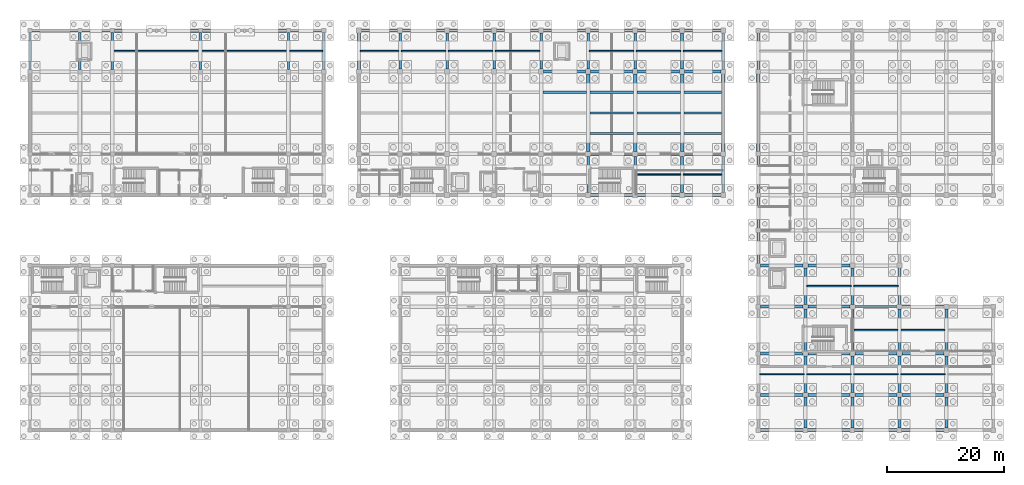
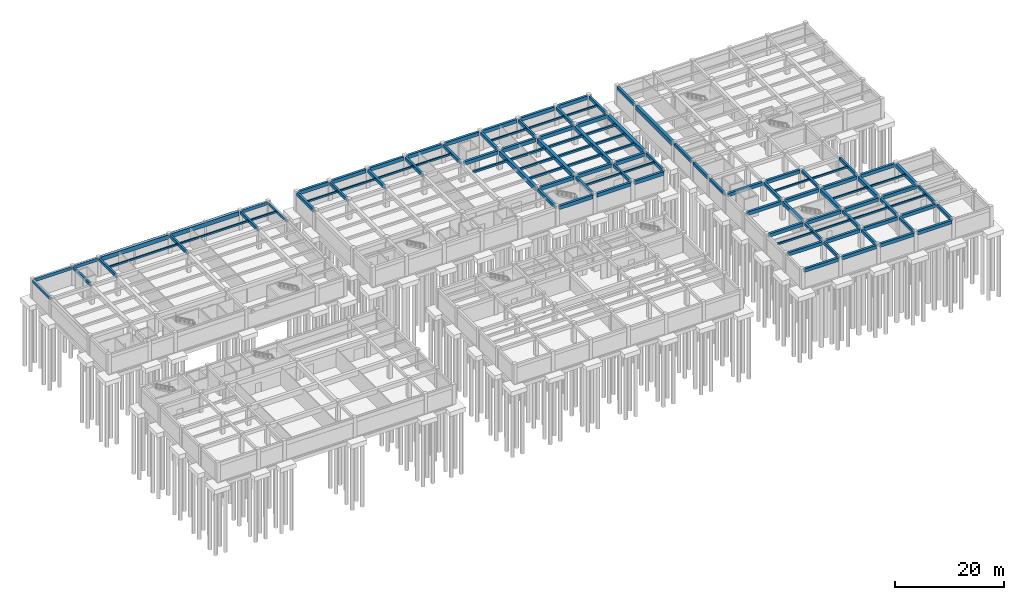
# One storey, part 12 of 28: 114 beams.
"""IFC4 building model written with IfcOpenShell, lengths in metres."""

from ifc_helpers import new_model, si_unit, direction, frame, origin, origin_2d, place, context, subcontext, project, spatial, rectangle, extrude, material, material_profile, profile_set, type_object, element, save


model = new_model("IFC4")

# Units and contexts
model_context = context("Model", 3, precision=1e-05, world=origin(), true_north=direction((0.0, 1.0)))
body_context = subcontext(model_context, "Body", "Model", "MODEL_VIEW")
ifc_project = project(units=[si_unit("LENGTHUNIT", "METRE"), si_unit("AREAUNIT", "SQUARE_METRE"), si_unit("VOLUMEUNIT", "CUBIC_METRE"), si_unit("PLANEANGLEUNIT", "RADIAN"), si_unit("MASSUNIT", "GRAM", prefix="KILO")], contexts=[model_context])

# Site, building, storey
site_placement = place(None, origin())
site = spatial("IfcSite", under=ifc_project, at=site_placement, CompositionType="ELEMENT")
building_placement = place(site_placement, origin())
building = spatial("IfcBuilding", under=site, at=building_placement, Name="Naurynzar Civic Courthouse", CompositionType="ELEMENT")
storey_placement = place(building_placement, frame((0.0, 0.0, -4.5)))
storey = spatial("IfcBuildingStorey", under=building, at=storey_placement, Name="B01", CompositionType="ELEMENT", Elevation=-4.5)

# Beams
ifc_material_1 = material(Name="Concrete C40/50", Category="concrete")
ifc_material_profile_1 = material_profile(ifc_material_1, rectangle(XDim=0.25, YDim=0.39990234375, at=origin_2d()), Name="RCB 250x400")
ifc_profile_set_1 = profile_set([ifc_material_profile_1], Name="Concrete C40/50")
beam_type_1 = type_object("IfcBeamType", Name="BM-JST-250x400", PredefinedType="JOIST", material=ifc_profile_set_1)
for number, where, z_axis, x_axis, name in (
    (1, (20.199951171875, 68.5, 4.030029296875), (1.0, 0.0, 0.0), (0.0, 1.0, 0.0), "V1 secondary rib 55 B01"),
    (2, (35.199951171875, 68.5, 4.030029296875), (1.0, 0.0, 0.0), (0.0, 1.0, 0.0), "V1 secondary rib 56 B01"),
):
    element("IfcBeam", number, at=place(storey_placement, frame(where, z_axis=z_axis, x_axis=x_axis)), inside=storey, type_object=beam_type_1, Name=name, PredefinedType="JOIST", context=body_context, shape_type="SweptSolid", body=[
        extrude(rectangle(XDim=0.25, YDim=0.39990234375, at=origin_2d()), origin(), (0.0, 0.0, 1.0), 14.60009765625),
    ])
beam_1_placement = place(storey_placement, frame((50.199951171875, 68.5, 4.030029296875), z_axis=(1.0, 0.0, 0.0), x_axis=(0.0, 1.0, 0.0)))
element("IfcBeam", 3, at=beam_1_placement, inside=storey, type_object=beam_type_1, Name="V1 secondary rib 57 B01", PredefinedType="JOIST", context=body_context, shape_type="SweptSolid", body=[
    extrude(rectangle(XDim=0.25, YDim=0.39990234375, at=origin_2d()), origin(), (0.0, 0.0, 1.0), 5.60009765625),
])
beam_2_placement = place(storey_placement, frame((109.22509765625, 47.5, 4.0), z_axis=(1.0, 0.0, 0.0), x_axis=(0.0, 1.0, 0.0)))
element("IfcBeam", 4, at=beam_2_placement, inside=storey, type_object=beam_type_1, Name="V2 secondary rib 340 B01", PredefinedType="JOIST", context=body_context, shape_type="SweptSolid", body=[
    extrude(rectangle(XDim=0.25, YDim=0.39990234375, at=origin_2d()), origin(), (0.0, 0.0, 1.0), 7.5498046875),
])
for number, where, z_axis, x_axis, name in (
    (5, (117.22509765625, 47.5, 4.0), (1.0, 0.0, 0.0), (0.0, 1.0, 0.0), "V2 secondary rib 341 B01"),
    (6, (62.22509765625, 68.5, 4.0), (1.0, 0.0, 0.0), (0.0, 1.0, 0.0), "V2 secondary rib 366 B01"),
):
    element("IfcBeam", number, at=place(storey_placement, frame(where, z_axis=z_axis, x_axis=x_axis)), inside=storey, type_object=beam_type_1, Name=name, PredefinedType="JOIST", context=body_context, shape_type="SweptSolid", body=[
        extrude(rectangle(XDim=0.25, YDim=0.39990234375, at=origin_2d()), origin(), (0.0, 0.0, 1.0), 6.5498046875),
    ])
for number, where, z_axis, x_axis, name in (
    (7, (69.22509765625, 68.5, 4.0), (1.0, 0.0, 0.0), (0.0, 1.0, 0.0), "V2 secondary rib 367 B01"),
    (8, (77.22509765625, 68.5, 4.0), (1.0, 0.0, 0.0), (0.0, 1.0, 0.0), "V2 secondary rib 368 B01"),
    (9, (85.22509765625, 68.5, 4.0), (1.0, 0.0, 0.0), (0.0, 1.0, 0.0), "V2 secondary rib 369 B01"),
    (10, (101.22509765625, 68.5, 4.0), (1.0, 0.0, 0.0), (0.0, 1.0, 0.0), "V2 secondary rib 370 B01"),
    (11, (109.22509765625, 68.5, 4.0), (1.0, 0.0, 0.0), (0.0, 1.0, 0.0), "V2 secondary rib 371 B01"),
):
    element("IfcBeam", number, at=place(storey_placement, frame(where, z_axis=z_axis, x_axis=x_axis)), inside=storey, type_object=beam_type_1, Name=name, PredefinedType="JOIST", context=body_context, shape_type="SweptSolid", body=[
        extrude(rectangle(XDim=0.25, YDim=0.39990234375, at=origin_2d()), origin(), (0.0, 0.0, 1.0), 7.5498046875),
    ])
beam_3_placement = place(storey_placement, frame((117.22509765625, 68.5, 4.0), z_axis=(1.0, 0.0, 0.0), x_axis=(0.0, 1.0, 0.0)))
element("IfcBeam", 12, at=beam_3_placement, inside=storey, type_object=beam_type_1, Name="V2 secondary rib 372 B01", PredefinedType="JOIST", context=body_context, shape_type="SweptSolid", body=[
    extrude(rectangle(XDim=0.25, YDim=0.39990234375, at=origin_2d()), origin(), (0.0, 0.0, 1.0), 6.5498046875),
])
for number, where, z_axis, x_axis, name in (
    (13, (130.22509765625, 13.5, 4.0), (1.0, 0.0, 0.0), (0.0, 1.0, 0.0), "V5 secondary rib 2093 B01"),
    (14, (138.22509765625, 13.5, 4.0), (1.0, 0.0, 0.0), (0.0, 1.0, 0.0), "V5 secondary rib 2094 B01"),
    (15, (146.22509765625, 13.5, 4.0), (1.0, 0.0, 0.0), (0.0, 1.0, 0.0), "V5 secondary rib 2095 B01"),
    (16, (154.22509765625, 13.5, 4.0), (1.0, 0.0, 0.0), (0.0, 1.0, 0.0), "V5 secondary rib 2096 B01"),
):
    element("IfcBeam", number, at=place(storey_placement, frame(where, z_axis=z_axis, x_axis=x_axis)), inside=storey, type_object=beam_type_1, Name=name, PredefinedType="JOIST", context=body_context, shape_type="SweptSolid", body=[
        extrude(rectangle(XDim=0.25, YDim=0.39990234375, at=origin_2d()), origin(), (0.0, 0.0, 1.0), 7.5498046875),
    ])
for number, where, z_axis, x_axis, name in (
    (17, (146.27490234375, 21.0, 4.0), (1.0, 0.0, 0.0), (0.0, 1.0, 0.0), "V5 secondary rib 2098 B01"),
    (18, (154.27490234375, 21.0, 4.0), (1.0, 0.0, 0.0), (0.0, 1.0, 0.0), "V5 secondary rib 2099 B01"),
):
    element("IfcBeam", number, at=place(storey_placement, frame(where, z_axis=z_axis, x_axis=x_axis)), inside=storey, type_object=beam_type_1, Name=name, PredefinedType="JOIST", context=body_context, shape_type="SweptSolid", body=[
        extrude(rectangle(XDim=0.25, YDim=0.39990234375, at=origin_2d()), origin(), (0.0, 0.0, 1.0), 7.4501953125),
    ])
for number, where, z_axis, x_axis, name in (
    (19, (138.22509765625, 28.5, 4.0), (1.0, 0.0, 0.0), (0.0, 1.0, 0.0), "V5 secondary rib 2101 B01"),
    (20, (146.22509765625, 28.5, 4.0), (1.0, 0.0, 0.0), (0.0, 1.0, 0.0), "V5 secondary rib 2102 B01"),
):
    element("IfcBeam", number, at=place(storey_placement, frame(where, z_axis=z_axis, x_axis=x_axis)), inside=storey, type_object=beam_type_1, Name=name, PredefinedType="JOIST", context=body_context, shape_type="SweptSolid", body=[
        extrude(rectangle(XDim=0.25, YDim=0.39990234375, at=origin_2d()), origin(), (0.0, 0.0, 1.0), 7.5498046875),
    ])
ifc_material_2 = material(Name="Concrete C40/50", Category="concrete")
ifc_material_profile_2 = material_profile(ifc_material_2, rectangle(XDim=0.60009765625, YDim=0.949951171875, at=origin_2d()), Name="PTB 600x950")
ifc_profile_set_2 = profile_set([ifc_material_profile_2], Name="Concrete C40/50")
beam_type_2 = type_object("IfcBeamType", Name="BM-PT-600x950", PredefinedType="T_BEAM", material=ifc_profile_set_2)
for number, where, z_axis, x_axis, name in (
    (21, (20.35009765625, 72.0, 3.7548828125), (1.0, 0.0, 0.0), (0.0, 1.0, 0.0), "V1 beam X-18 B01"),
    (22, (35.35009765625, 72.0, 3.7548828125), (1.0, 0.0, 0.0), (0.0, 1.0, 0.0), "V1 beam X-19 B01"),
):
    element("IfcBeam", number, at=place(storey_placement, frame(where, z_axis=z_axis, x_axis=x_axis)), inside=storey, type_object=beam_type_2, Name=name, PredefinedType="T_BEAM", context=body_context, shape_type="SweptSolid", body=[
        extrude(rectangle(XDim=0.60009765625, YDim=0.949951171875, at=origin_2d()), origin(), (0.0, 0.0, 1.0), 14.2998046875),
    ])
for number, where, z_axis, x_axis, name in (
    (23, (101.0, 51.425048828125, 3.72509765625), (0.0, 1.0, 0.0), (-1.0, 0.0, 0.0), "V2 girder Y-327 B01"),
    (24, (109.0, 51.425048828125, 3.72509765625), (0.0, 1.0, 0.0), (-1.0, 0.0, 0.0), "V2 girder Y-330 B01"),
    (25, (117.0, 51.425048828125, 3.72509765625), (0.0, 1.0, 0.0), (-1.0, 0.0, 0.0), "V2 girder Y-333 B01"),
):
    element("IfcBeam", number, at=place(storey_placement, frame(where, z_axis=z_axis, x_axis=x_axis)), inside=storey, type_object=beam_type_2, Name=name, PredefinedType="T_BEAM", context=body_context, shape_type="SweptSolid", body=[
        extrude(rectangle(XDim=0.60009765625, YDim=0.949951171875, at=origin_2d()), origin(), (0.0, 0.0, 1.0), 13.14990234375),
    ])
beam_4_placement = place(storey_placement, frame((124.0, 51.39990234375, 3.72509765625), z_axis=(0.0, 1.0, 0.0), x_axis=(-1.0, 0.0, 0.0)))
element("IfcBeam", 26, at=beam_4_placement, inside=storey, type_object=beam_type_2, Name="V2 girder Y-336 B01", PredefinedType="T_BEAM", context=body_context, shape_type="SweptSolid", body=[
    extrude(rectangle(XDim=0.60009765625, YDim=0.949951171875, at=origin_2d()), origin(), (0.0, 0.0, 1.0), 13.2001953125),
])
beam_5_placement = place(storey_placement, frame((130.0, 51.375, 3.72509765625), z_axis=(0.0, 1.0, 0.0), x_axis=(-1.0, 0.0, 0.0)))
element("IfcBeam", 27, at=beam_5_placement, inside=storey, type_object=beam_type_2, Name="V5 girder Y-2052 B01", PredefinedType="T_BEAM", context=body_context, shape_type="SweptSolid", body=[
    extrude(rectangle(XDim=0.60009765625, YDim=0.949951171875, at=origin_2d()), origin(), (0.0, 0.0, 1.0), 13.25),
])
ifc_material_3 = material(Name="Concrete C40/50", Category="concrete")
ifc_material_profile_3 = material_profile(ifc_material_3, rectangle(XDim=0.35009765625, YDim=0.449951171875, at=origin_2d()), Name="RCB 350x450")
ifc_profile_set_3 = profile_set([ifc_material_profile_3], Name="Concrete C40/50")
beam_type_3 = type_object("IfcBeamType", Name="BM-RC-350x450", PredefinedType="BEAM", material=ifc_profile_set_3)
for number, where, z_axis, x_axis, name in (
    (28, (93.300048828125, 61.5, 3.97509765625), (1.0, 0.0, 0.0), (0.0, 1.0, 0.0), "V2 secondary rib 356 B01"),
    (29, (101.300048828125, 54.5, 3.97509765625), (1.0, 0.0, 0.0), (0.0, 1.0, 0.0), "V2 secondary rib 357 B01"),
    (30, (101.300048828125, 58.0, 3.97509765625), (1.0, 0.0, 0.0), (0.0, 1.0, 0.0), "V2 secondary rib 358 B01"),
    (31, (101.300048828125, 61.5, 3.97509765625), (1.0, 0.0, 0.0), (0.0, 1.0, 0.0), "V2 secondary rib 359 B01"),
    (32, (109.300048828125, 54.5, 3.97509765625), (1.0, 0.0, 0.0), (0.0, 1.0, 0.0), "V2 secondary rib 360 B01"),
    (33, (109.300048828125, 58.0, 3.97509765625), (1.0, 0.0, 0.0), (0.0, 1.0, 0.0), "V2 secondary rib 361 B01"),
    (34, (109.300048828125, 61.5, 3.97509765625), (1.0, 0.0, 0.0), (0.0, 1.0, 0.0), "V2 secondary rib 362 B01"),
):
    element("IfcBeam", number, at=place(storey_placement, frame(where, z_axis=z_axis, x_axis=x_axis)), inside=storey, type_object=beam_type_3, Name=name, PredefinedType="BEAM", context=body_context, shape_type="SweptSolid", body=[
        extrude(rectangle(XDim=0.35009765625, YDim=0.449951171875, at=origin_2d()), origin(), (0.0, 0.0, 1.0), 7.39990234375),
    ])
for number, where, z_axis, x_axis, name in (
    (35, (117.300048828125, 54.5, 3.97509765625), (1.0, 0.0, 0.0), (0.0, 1.0, 0.0), "V2 secondary rib 363 B01"),
    (36, (117.300048828125, 58.0, 3.97509765625), (1.0, 0.0, 0.0), (0.0, 1.0, 0.0), "V2 secondary rib 364 B01"),
    (37, (117.300048828125, 61.5, 3.97509765625), (1.0, 0.0, 0.0), (0.0, 1.0, 0.0), "V2 secondary rib 365 B01"),
):
    element("IfcBeam", number, at=place(storey_placement, frame(where, z_axis=z_axis, x_axis=x_axis)), inside=storey, type_object=beam_type_3, Name=name, PredefinedType="BEAM", context=body_context, shape_type="SweptSolid", body=[
        extrude(rectangle(XDim=0.35009765625, YDim=0.449951171875, at=origin_2d()), origin(), (0.0, 0.0, 1.0), 6.39990234375),
    ])
ifc_material_4 = material(Name="Concrete C40/50", Category="concrete")
ifc_material_profile_4 = material_profile(ifc_material_4, rectangle(XDim=0.39990234375, YDim=0.64990234375, at=origin_2d()), Name="RCB 400x650")
ifc_profile_set_4 = profile_set([ifc_material_profile_4], Name="Concrete C40/50")
beam_type_4 = type_object("IfcBeamType", Name="BM-RC-400x650", PredefinedType="BEAM", material=ifc_profile_set_4)
for number, where, z_axis, x_axis, name in (
    (38, (6.0, 65.35009765625, 3.905029296875), (0.0, 1.0, 0.0), (-1.0, 0.0, 0.0), "V1 girder Y-23 B01"),
    (39, (14.5, 65.35009765625, 3.905029296875), (0.0, 1.0, 0.0), (-1.0, 0.0, 0.0), "V1 girder Y-26 B01"),
    (40, (20.0, 65.35009765625, 3.905029296875), (0.0, 1.0, 0.0), (-1.0, 0.0, 0.0), "V1 girder Y-29 B01"),
    (41, (35.0, 65.35009765625, 3.905029296875), (0.0, 1.0, 0.0), (-1.0, 0.0, 0.0), "V1 girder Y-32 B01"),
    (42, (50.0, 65.35009765625, 3.905029296875), (0.0, 1.0, 0.0), (-1.0, 0.0, 0.0), "V1 girder Y-35 B01"),
    (43, (56.0, 65.35009765625, 3.905029296875), (0.0, 1.0, 0.0), (-1.0, 0.0, 0.0), "V1 girder Y-38 B01"),
):
    element("IfcBeam", number, at=place(storey_placement, frame(where, z_axis=z_axis, x_axis=x_axis)), inside=storey, type_object=beam_type_4, Name=name, PredefinedType="BEAM", context=body_context, shape_type="SweptSolid", body=[
        extrude(rectangle(XDim=0.39990234375, YDim=0.64990234375, at=origin_2d()), origin(), (0.0, 0.0, 1.0), 6.2998046875),
    ])
ifc_material_5 = material(Name="Concrete C40/50", Category="concrete")
ifc_material_profile_5 = material_profile(ifc_material_5, rectangle(XDim=0.449951171875, YDim=0.64990234375, at=origin_2d()), Name="RCB 450x650")
ifc_profile_set_5 = profile_set([ifc_material_profile_5], Name="Concrete C40/50")
beam_type_5 = type_object("IfcBeamType", Name="BM-RC-450x650", PredefinedType="BEAM", material=ifc_profile_set_5)
for number, where, z_axis, x_axis, name in (
    (44, (130.0, 32.375, 3.875), (0.0, 1.0, 0.0), (-1.0, 0.0, 0.0), "V5 girder Y-2049 B01"),
    (45, (130.0, 38.375, 3.875), (0.0, 1.0, 0.0), (-1.0, 0.0, 0.0), "V5 girder Y-2050 B01"),
):
    element("IfcBeam", number, at=place(storey_placement, frame(where, z_axis=z_axis, x_axis=x_axis)), inside=storey, type_object=beam_type_5, Name=name, PredefinedType="BEAM", context=body_context, shape_type="SweptSolid", body=[
        extrude(rectangle(XDim=0.449951171875, YDim=0.64990234375, at=origin_2d()), origin(), (0.0, 0.0, 1.0), 5.25),
    ])
for number, where, z_axis, x_axis, name in (
    (46, (130.0, 44.375, 3.875), (0.0, 1.0, 0.0), (-1.0, 0.0, 0.0), "V5 girder Y-2051 B01"),
    (47, (130.0, 65.375, 3.875), (0.0, 1.0, 0.0), (-1.0, 0.0, 0.0), "V5 girder Y-2053 B01"),
):
    element("IfcBeam", number, at=place(storey_placement, frame(where, z_axis=z_axis, x_axis=x_axis)), inside=storey, type_object=beam_type_5, Name=name, PredefinedType="BEAM", context=body_context, shape_type="SweptSolid", body=[
        extrude(rectangle(XDim=0.449951171875, YDim=0.64990234375, at=origin_2d()), origin(), (0.0, 0.0, 1.0), 6.25),
    ])
beam_6_placement = place(storey_placement, frame((138.0, 4.375, 3.875), z_axis=(0.0, 1.0, 0.0), x_axis=(-1.0, 0.0, 0.0)))
element("IfcBeam", 48, at=beam_6_placement, inside=storey, type_object=beam_type_5, Name="V5 girder Y-2054 B01", PredefinedType="BEAM", context=body_context, shape_type="SweptSolid", body=[
    extrude(rectangle(XDim=0.449951171875, YDim=0.64990234375, at=origin_2d()), origin(), (0.0, 0.0, 1.0), 5.22509765625),
])
for number, where, z_axis, x_axis, name in (
    (49, (138.0, 10.39990234375, 3.875), (0.0, 1.0, 0.0), (-1.0, 0.0, 0.0), "V5 girder Y-2055 B01"),
    (50, (138.0, 25.39990234375, 3.875), (0.0, 1.0, 0.0), (-1.0, 0.0, 0.0), "V5 girder Y-2057 B01"),
):
    element("IfcBeam", number, at=place(storey_placement, frame(where, z_axis=z_axis, x_axis=x_axis)), inside=storey, type_object=beam_type_5, Name=name, PredefinedType="BEAM", context=body_context, shape_type="SweptSolid", body=[
        extrude(rectangle(XDim=0.449951171875, YDim=0.64990234375, at=origin_2d()), origin(), (0.0, 0.0, 1.0), 6.2001953125),
    ])
beam_7_placement = place(storey_placement, frame((146.0, 4.375, 3.875), z_axis=(0.0, 1.0, 0.0), x_axis=(-1.0, 0.0, 0.0)))
element("IfcBeam", 51, at=beam_7_placement, inside=storey, type_object=beam_type_5, Name="V5 girder Y-2063 B01", PredefinedType="BEAM", context=body_context, shape_type="SweptSolid", body=[
    extrude(rectangle(XDim=0.449951171875, YDim=0.64990234375, at=origin_2d()), origin(), (0.0, 0.0, 1.0), 5.22509765625),
])
for number, where, z_axis, x_axis, name in (
    (52, (146.0, 10.39990234375, 3.875), (0.0, 1.0, 0.0), (-1.0, 0.0, 0.0), "V5 girder Y-2064 B01"),
    (53, (146.0, 25.39990234375, 3.875), (0.0, 1.0, 0.0), (-1.0, 0.0, 0.0), "V5 girder Y-2066 B01"),
):
    element("IfcBeam", number, at=place(storey_placement, frame(where, z_axis=z_axis, x_axis=x_axis)), inside=storey, type_object=beam_type_5, Name=name, PredefinedType="BEAM", context=body_context, shape_type="SweptSolid", body=[
        extrude(rectangle(XDim=0.449951171875, YDim=0.64990234375, at=origin_2d()), origin(), (0.0, 0.0, 1.0), 6.2001953125),
    ])
beam_8_placement = place(storey_placement, frame((154.0, 4.375, 3.875), z_axis=(0.0, 1.0, 0.0), x_axis=(-1.0, 0.0, 0.0)))
element("IfcBeam", 54, at=beam_8_placement, inside=storey, type_object=beam_type_5, Name="V5 girder Y-2072 B01", PredefinedType="BEAM", context=body_context, shape_type="SweptSolid", body=[
    extrude(rectangle(XDim=0.449951171875, YDim=0.64990234375, at=origin_2d()), origin(), (0.0, 0.0, 1.0), 5.22509765625),
])
for number, where, z_axis, x_axis, name in (
    (55, (154.0, 10.39990234375, 3.875), (0.0, 1.0, 0.0), (-1.0, 0.0, 0.0), "V5 girder Y-2073 B01"),
    (56, (154.0, 25.39990234375, 3.875), (0.0, 1.0, 0.0), (-1.0, 0.0, 0.0), "V5 girder Y-2075 B01"),
):
    element("IfcBeam", number, at=place(storey_placement, frame(where, z_axis=z_axis, x_axis=x_axis)), inside=storey, type_object=beam_type_5, Name=name, PredefinedType="BEAM", context=body_context, shape_type="SweptSolid", body=[
        extrude(rectangle(XDim=0.449951171875, YDim=0.64990234375, at=origin_2d()), origin(), (0.0, 0.0, 1.0), 6.2001953125),
    ])
beam_9_placement = place(storey_placement, frame((162.0, 4.375, 3.875), z_axis=(0.0, 1.0, 0.0), x_axis=(-1.0, 0.0, 0.0)))
element("IfcBeam", 57, at=beam_9_placement, inside=storey, type_object=beam_type_5, Name="V5 girder Y-2081 B01", PredefinedType="BEAM", context=body_context, shape_type="SweptSolid", body=[
    extrude(rectangle(XDim=0.449951171875, YDim=0.64990234375, at=origin_2d()), origin(), (0.0, 0.0, 1.0), 5.22509765625),
])
beam_10_placement = place(storey_placement, frame((162.0, 10.39990234375, 3.875), z_axis=(0.0, 1.0, 0.0), x_axis=(-1.0, 0.0, 0.0)))
element("IfcBeam", 58, at=beam_10_placement, inside=storey, type_object=beam_type_5, Name="V5 girder Y-2082 B01", PredefinedType="BEAM", context=body_context, shape_type="SweptSolid", body=[
    extrude(rectangle(XDim=0.449951171875, YDim=0.64990234375, at=origin_2d()), origin(), (0.0, 0.0, 1.0), 6.2001953125),
])
ifc_material_6 = material(Name="Concrete C40/50", Category="concrete")
ifc_material_profile_6 = material_profile(ifc_material_6, rectangle(XDim=0.449951171875, YDim=0.699951171875, at=origin_2d()), Name="RCB 450x700")
ifc_profile_set_6 = profile_set([ifc_material_profile_6], Name="Concrete C40/50")
beam_type_6 = type_object("IfcBeamType", Name="BM-RC-450x700", PredefinedType="BEAM", material=ifc_profile_set_6)
beam_11_placement = place(storey_placement, frame((6.35009765625, 72.0, 3.8798828125), z_axis=(1.0, 0.0, 0.0), x_axis=(0.0, 1.0, 0.0)))
element("IfcBeam", 59, at=beam_11_placement, inside=storey, type_object=beam_type_6, Name="V1 beam X-16 B01", PredefinedType="BEAM", context=body_context, shape_type="SweptSolid", body=[
    extrude(rectangle(XDim=0.449951171875, YDim=0.699951171875, at=origin_2d()), origin(), (0.0, 0.0, 1.0), 7.7998046875),
])
beam_12_placement = place(storey_placement, frame((14.85009765625, 72.0, 3.8798828125), z_axis=(1.0, 0.0, 0.0), x_axis=(0.0, 1.0, 0.0)))
element("IfcBeam", 60, at=beam_12_placement, inside=storey, type_object=beam_type_6, Name="V1 beam X-17 B01", PredefinedType="BEAM", context=body_context, shape_type="SweptSolid", body=[
    extrude(rectangle(XDim=0.449951171875, YDim=0.699951171875, at=origin_2d()), origin(), (0.0, 0.0, 1.0), 4.7998046875),
])
beam_13_placement = place(storey_placement, frame((50.35009765625, 72.0, 3.8798828125), z_axis=(1.0, 0.0, 0.0), x_axis=(0.0, 1.0, 0.0)))
element("IfcBeam", 61, at=beam_13_placement, inside=storey, type_object=beam_type_6, Name="V1 beam X-20 B01", PredefinedType="BEAM", context=body_context, shape_type="SweptSolid", body=[
    extrude(rectangle(XDim=0.449951171875, YDim=0.699951171875, at=origin_2d()), origin(), (0.0, 0.0, 1.0), 5.2998046875),
])
beam_14_placement = place(storey_placement, frame((62.0, 65.39990234375, 3.85009765625), z_axis=(0.0, 1.0, 0.0), x_axis=(-1.0, 0.0, 0.0)))
element("IfcBeam", 62, at=beam_14_placement, inside=storey, type_object=beam_type_6, Name="V2 girder Y-313 B01", PredefinedType="BEAM", context=body_context, shape_type="SweptSolid", body=[
    extrude(rectangle(XDim=0.449951171875, YDim=0.699951171875, at=origin_2d()), origin(), (0.0, 0.0, 1.0), 6.2001953125),
])
for number, where, z_axis, x_axis, name in (
    (63, (69.0, 65.425048828125, 3.85009765625), (0.0, 1.0, 0.0), (-1.0, 0.0, 0.0), "V2 girder Y-316 B01"),
    (64, (77.0, 65.425048828125, 3.85009765625), (0.0, 1.0, 0.0), (-1.0, 0.0, 0.0), "V2 girder Y-319 B01"),
    (65, (85.0, 65.425048828125, 3.85009765625), (0.0, 1.0, 0.0), (-1.0, 0.0, 0.0), "V2 girder Y-322 B01"),
    (66, (93.0, 65.425048828125, 3.85009765625), (0.0, 1.0, 0.0), (-1.0, 0.0, 0.0), "V2 girder Y-325 B01"),
    (67, (101.0, 44.39990234375, 3.85009765625), (0.0, 1.0, 0.0), (-1.0, 0.0, 0.0), "V2 girder Y-326 B01"),
    (68, (101.0, 65.425048828125, 3.85009765625), (0.0, 1.0, 0.0), (-1.0, 0.0, 0.0), "V2 girder Y-328 B01"),
    (69, (109.0, 44.39990234375, 3.85009765625), (0.0, 1.0, 0.0), (-1.0, 0.0, 0.0), "V2 girder Y-329 B01"),
    (70, (109.0, 65.425048828125, 3.85009765625), (0.0, 1.0, 0.0), (-1.0, 0.0, 0.0), "V2 girder Y-331 B01"),
    (71, (117.0, 44.39990234375, 3.85009765625), (0.0, 1.0, 0.0), (-1.0, 0.0, 0.0), "V2 girder Y-332 B01"),
    (72, (117.0, 65.425048828125, 3.85009765625), (0.0, 1.0, 0.0), (-1.0, 0.0, 0.0), "V2 girder Y-334 B01"),
):
    element("IfcBeam", number, at=place(storey_placement, frame(where, z_axis=z_axis, x_axis=x_axis)), inside=storey, type_object=beam_type_6, Name=name, PredefinedType="BEAM", context=body_context, shape_type="SweptSolid", body=[
        extrude(rectangle(XDim=0.449951171875, YDim=0.699951171875, at=origin_2d()), origin(), (0.0, 0.0, 1.0), 6.175048828125),
    ])
for number, where, z_axis, x_axis, name in (
    (73, (124.0, 44.39990234375, 3.85009765625), (0.0, 1.0, 0.0), (-1.0, 0.0, 0.0), "V2 girder Y-335 B01"),
    (74, (124.0, 65.39990234375, 3.85009765625), (0.0, 1.0, 0.0), (-1.0, 0.0, 0.0), "V2 girder Y-337 B01"),
):
    element("IfcBeam", number, at=place(storey_placement, frame(where, z_axis=z_axis, x_axis=x_axis)), inside=storey, type_object=beam_type_6, Name=name, PredefinedType="BEAM", context=body_context, shape_type="SweptSolid", body=[
        extrude(rectangle(XDim=0.449951171875, YDim=0.699951171875, at=origin_2d()), origin(), (0.0, 0.0, 1.0), 6.2001953125),
    ])
ifc_material_7 = material(Name="Concrete C40/50", Category="concrete")
ifc_material_profile_7 = material_profile(ifc_material_7, rectangle(XDim=0.5, YDim=0.75, at=origin_2d()), Name="RCB 500x750")
ifc_profile_set_7 = profile_set([ifc_material_profile_7], Name="Concrete C40/50")
beam_type_7 = type_object("IfcBeamType", Name="BM-RC-500x750", PredefinedType="BEAM", material=ifc_profile_set_7)
for number, where, z_axis, x_axis, name in (
    (75, (130.375, 4.0, 3.824951171875), (1.0, 0.0, 0.0), (0.0, 1.0, 0.0), "V5 beam X-1999 B01"),
    (76, (138.375, 4.0, 3.824951171875), (1.0, 0.0, 0.0), (0.0, 1.0, 0.0), "V5 beam X-2000 B01"),
    (77, (146.375, 4.0, 3.824951171875), (1.0, 0.0, 0.0), (0.0, 1.0, 0.0), "V5 beam X-2001 B01"),
    (78, (154.375, 4.0, 3.824951171875), (1.0, 0.0, 0.0), (0.0, 1.0, 0.0), "V5 beam X-2002 B01"),
):
    element("IfcBeam", number, at=place(storey_placement, frame(where, z_axis=z_axis, x_axis=x_axis)), inside=storey, type_object=beam_type_7, Name=name, PredefinedType="BEAM", context=body_context, shape_type="SweptSolid", body=[
        extrude(rectangle(XDim=0.5, YDim=0.75, at=origin_2d()), origin(), (0.0, 0.0, 1.0), 7.25),
    ])
beam_15_placement = place(storey_placement, frame((130.375, 10.0, 3.824951171875), z_axis=(1.0, 0.0, 0.0), x_axis=(0.0, 1.0, 0.0)))
element("IfcBeam", 79, at=beam_15_placement, inside=storey, type_object=beam_type_7, Name="V5 beam X-2004 B01", PredefinedType="BEAM", context=body_context, shape_type="SweptSolid", body=[
    extrude(rectangle(XDim=0.5, YDim=0.75, at=origin_2d()), origin(), (0.0, 0.0, 1.0), 7.22509765625),
])
for number, where, z_axis, x_axis, name in (
    (80, (138.39990234375, 10.0, 3.824951171875), (1.0, 0.0, 0.0), (0.0, 1.0, 0.0), "V5 beam X-2005 B01"),
    (81, (146.39990234375, 10.0, 3.824951171875), (1.0, 0.0, 0.0), (0.0, 1.0, 0.0), "V5 beam X-2006 B01"),
    (82, (154.39990234375, 10.0, 3.824951171875), (1.0, 0.0, 0.0), (0.0, 1.0, 0.0), "V5 beam X-2007 B01"),
):
    element("IfcBeam", number, at=place(storey_placement, frame(where, z_axis=z_axis, x_axis=x_axis)), inside=storey, type_object=beam_type_7, Name=name, PredefinedType="BEAM", context=body_context, shape_type="SweptSolid", body=[
        extrude(rectangle(XDim=0.5, YDim=0.75, at=origin_2d()), origin(), (0.0, 0.0, 1.0), 7.2001953125),
    ])
beam_16_placement = place(storey_placement, frame((130.375, 17.0, 3.824951171875), z_axis=(1.0, 0.0, 0.0), x_axis=(0.0, 1.0, 0.0)))
element("IfcBeam", 83, at=beam_16_placement, inside=storey, type_object=beam_type_7, Name="V5 beam X-2009 B01", PredefinedType="BEAM", context=body_context, shape_type="SweptSolid", body=[
    extrude(rectangle(XDim=0.5, YDim=0.75, at=origin_2d()), origin(), (0.0, 0.0, 1.0), 7.22509765625),
])
for number, where, z_axis, x_axis, name in (
    (84, (138.39990234375, 17.0, 3.824951171875), (1.0, 0.0, 0.0), (0.0, 1.0, 0.0), "V5 beam X-2010 B01"),
    (85, (146.39990234375, 17.0, 3.824951171875), (1.0, 0.0, 0.0), (0.0, 1.0, 0.0), "V5 beam X-2011 B01"),
    (86, (154.39990234375, 17.0, 3.824951171875), (1.0, 0.0, 0.0), (0.0, 1.0, 0.0), "V5 beam X-2012 B01"),
):
    element("IfcBeam", number, at=place(storey_placement, frame(where, z_axis=z_axis, x_axis=x_axis)), inside=storey, type_object=beam_type_7, Name=name, PredefinedType="BEAM", context=body_context, shape_type="SweptSolid", body=[
        extrude(rectangle(XDim=0.5, YDim=0.75, at=origin_2d()), origin(), (0.0, 0.0, 1.0), 7.2001953125),
    ])
beam_17_placement = place(storey_placement, frame((130.375, 25.0, 3.824951171875), z_axis=(1.0, 0.0, 0.0), x_axis=(0.0, 1.0, 0.0)))
element("IfcBeam", 87, at=beam_17_placement, inside=storey, type_object=beam_type_7, Name="V5 beam X-2014 B01", PredefinedType="BEAM", context=body_context, shape_type="SweptSolid", body=[
    extrude(rectangle(XDim=0.5, YDim=0.75, at=origin_2d()), origin(), (0.0, 0.0, 1.0), 7.22509765625),
])
for number, where, z_axis, x_axis, name in (
    (88, (138.39990234375, 25.0, 3.824951171875), (1.0, 0.0, 0.0), (0.0, 1.0, 0.0), "V5 beam X-2015 B01"),
    (89, (146.39990234375, 25.0, 3.824951171875), (1.0, 0.0, 0.0), (0.0, 1.0, 0.0), "V5 beam X-2016 B01"),
    (90, (154.39990234375, 25.0, 3.824951171875), (1.0, 0.0, 0.0), (0.0, 1.0, 0.0), "V5 beam X-2017 B01"),
):
    element("IfcBeam", number, at=place(storey_placement, frame(where, z_axis=z_axis, x_axis=x_axis)), inside=storey, type_object=beam_type_7, Name=name, PredefinedType="BEAM", context=body_context, shape_type="SweptSolid", body=[
        extrude(rectangle(XDim=0.5, YDim=0.75, at=origin_2d()), origin(), (0.0, 0.0, 1.0), 7.2001953125),
    ])
beam_18_placement = place(storey_placement, frame((130.375, 32.0, 3.824951171875), z_axis=(1.0, 0.0, 0.0), x_axis=(0.0, 1.0, 0.0)))
element("IfcBeam", 91, at=beam_18_placement, inside=storey, type_object=beam_type_7, Name="V5 beam X-2019 B01", PredefinedType="BEAM", context=body_context, shape_type="SweptSolid", body=[
    extrude(rectangle(XDim=0.5, YDim=0.75, at=origin_2d()), origin(), (0.0, 0.0, 1.0), 7.22509765625),
])
beam_19_placement = place(storey_placement, frame((138.39990234375, 32.0, 3.824951171875), z_axis=(1.0, 0.0, 0.0), x_axis=(0.0, 1.0, 0.0)))
element("IfcBeam", 92, at=beam_19_placement, inside=storey, type_object=beam_type_7, Name="V5 beam X-2020 B01", PredefinedType="BEAM", context=body_context, shape_type="SweptSolid", body=[
    extrude(rectangle(XDim=0.5, YDim=0.75, at=origin_2d()), origin(), (0.0, 0.0, 1.0), 7.2001953125),
])
ifc_material_8 = material(Name="Concrete C40/50", Category="concrete")
ifc_material_profile_8 = material_profile(ifc_material_8, rectangle(XDim=0.5, YDim=0.800048828125, at=origin_2d()), Name="RCB 500x800")
ifc_profile_set_8 = profile_set([ifc_material_profile_8], Name="Concrete C40/50")
beam_type_8 = type_object("IfcBeamType", Name="BM-RC-500x800", PredefinedType="BEAM", material=ifc_profile_set_8)
for number, where, z_axis, x_axis, name in (
    (93, (101.39990234375, 44.0, 3.800048828125), (1.0, 0.0, 0.0), (0.0, 1.0, 0.0), "V2 beam X-284 B01"),
    (94, (109.39990234375, 44.0, 3.800048828125), (1.0, 0.0, 0.0), (0.0, 1.0, 0.0), "V2 beam X-285 B01"),
):
    element("IfcBeam", number, at=place(storey_placement, frame(where, z_axis=z_axis, x_axis=x_axis)), inside=storey, type_object=beam_type_8, Name=name, PredefinedType="BEAM", context=body_context, shape_type="SweptSolid", body=[
        extrude(rectangle(XDim=0.5, YDim=0.800048828125, at=origin_2d()), origin(), (0.0, 0.0, 1.0), 7.2001953125),
    ])
beam_20_placement = place(storey_placement, frame((117.39990234375, 44.0, 3.800048828125), z_axis=(1.0, 0.0, 0.0), x_axis=(0.0, 1.0, 0.0)))
element("IfcBeam", 95, at=beam_20_placement, inside=storey, type_object=beam_type_8, Name="V2 beam X-286 B01", PredefinedType="BEAM", context=body_context, shape_type="SweptSolid", body=[
    extrude(rectangle(XDim=0.5, YDim=0.800048828125, at=origin_2d()), origin(), (0.0, 0.0, 1.0), 6.2001953125),
])
for number, where, z_axis, x_axis, name in (
    (96, (101.425048828125, 51.0, 3.800048828125), (1.0, 0.0, 0.0), (0.0, 1.0, 0.0), "V2 beam X-292 B01"),
    (97, (109.425048828125, 51.0, 3.800048828125), (1.0, 0.0, 0.0), (0.0, 1.0, 0.0), "V2 beam X-293 B01"),
):
    element("IfcBeam", number, at=place(storey_placement, frame(where, z_axis=z_axis, x_axis=x_axis)), inside=storey, type_object=beam_type_8, Name=name, PredefinedType="BEAM", context=body_context, shape_type="SweptSolid", body=[
        extrude(rectangle(XDim=0.5, YDim=0.800048828125, at=origin_2d()), origin(), (0.0, 0.0, 1.0), 7.14990234375),
    ])
beam_21_placement = place(storey_placement, frame((117.425048828125, 51.0, 3.800048828125), z_axis=(1.0, 0.0, 0.0), x_axis=(0.0, 1.0, 0.0)))
element("IfcBeam", 98, at=beam_21_placement, inside=storey, type_object=beam_type_8, Name="V2 beam X-294 B01", PredefinedType="BEAM", context=body_context, shape_type="SweptSolid", body=[
    extrude(rectangle(XDim=0.5, YDim=0.800048828125, at=origin_2d()), origin(), (0.0, 0.0, 1.0), 6.175048828125),
])
for number, where, z_axis, x_axis, name in (
    (99, (93.425048828125, 65.0, 3.800048828125), (1.0, 0.0, 0.0), (0.0, 1.0, 0.0), "V2 beam X-299 B01"),
    (100, (101.425048828125, 65.0, 3.800048828125), (1.0, 0.0, 0.0), (0.0, 1.0, 0.0), "V2 beam X-300 B01"),
    (101, (109.425048828125, 65.0, 3.800048828125), (1.0, 0.0, 0.0), (0.0, 1.0, 0.0), "V2 beam X-301 B01"),
):
    element("IfcBeam", number, at=place(storey_placement, frame(where, z_axis=z_axis, x_axis=x_axis)), inside=storey, type_object=beam_type_8, Name=name, PredefinedType="BEAM", context=body_context, shape_type="SweptSolid", body=[
        extrude(rectangle(XDim=0.5, YDim=0.800048828125, at=origin_2d()), origin(), (0.0, 0.0, 1.0), 7.14990234375),
    ])
beam_22_placement = place(storey_placement, frame((117.425048828125, 65.0, 3.800048828125), z_axis=(1.0, 0.0, 0.0), x_axis=(0.0, 1.0, 0.0)))
element("IfcBeam", 102, at=beam_22_placement, inside=storey, type_object=beam_type_8, Name="V2 beam X-302 B01", PredefinedType="BEAM", context=body_context, shape_type="SweptSolid", body=[
    extrude(rectangle(XDim=0.5, YDim=0.800048828125, at=origin_2d()), origin(), (0.0, 0.0, 1.0), 6.175048828125),
])
beam_23_placement = place(storey_placement, frame((62.39990234375, 72.0, 3.800048828125), z_axis=(1.0, 0.0, 0.0), x_axis=(0.0, 1.0, 0.0)))
element("IfcBeam", 103, at=beam_23_placement, inside=storey, type_object=beam_type_8, Name="V2 beam X-303 B01", PredefinedType="BEAM", context=body_context, shape_type="SweptSolid", body=[
    extrude(rectangle(XDim=0.5, YDim=0.800048828125, at=origin_2d()), origin(), (0.0, 0.0, 1.0), 6.2001953125),
])
for number, where, z_axis, x_axis, name in (
    (104, (69.39990234375, 72.0, 3.800048828125), (1.0, 0.0, 0.0), (0.0, 1.0, 0.0), "V2 beam X-304 B01"),
    (105, (77.39990234375, 72.0, 3.800048828125), (1.0, 0.0, 0.0), (0.0, 1.0, 0.0), "V2 beam X-305 B01"),
    (106, (85.39990234375, 72.0, 3.800048828125), (1.0, 0.0, 0.0), (0.0, 1.0, 0.0), "V2 beam X-306 B01"),
    (107, (93.39990234375, 72.0, 3.800048828125), (1.0, 0.0, 0.0), (0.0, 1.0, 0.0), "V2 beam X-307 B01"),
    (108, (101.39990234375, 72.0, 3.800048828125), (1.0, 0.0, 0.0), (0.0, 1.0, 0.0), "V2 beam X-308 B01"),
    (109, (109.39990234375, 72.0, 3.800048828125), (1.0, 0.0, 0.0), (0.0, 1.0, 0.0), "V2 beam X-309 B01"),
):
    element("IfcBeam", number, at=place(storey_placement, frame(where, z_axis=z_axis, x_axis=x_axis)), inside=storey, type_object=beam_type_8, Name=name, PredefinedType="BEAM", context=body_context, shape_type="SweptSolid", body=[
        extrude(rectangle(XDim=0.5, YDim=0.800048828125, at=origin_2d()), origin(), (0.0, 0.0, 1.0), 7.2001953125),
    ])
beam_24_placement = place(storey_placement, frame((117.39990234375, 72.0, 3.800048828125), z_axis=(1.0, 0.0, 0.0), x_axis=(0.0, 1.0, 0.0)))
element("IfcBeam", 110, at=beam_24_placement, inside=storey, type_object=beam_type_8, Name="V2 beam X-310 B01", PredefinedType="BEAM", context=body_context, shape_type="SweptSolid", body=[
    extrude(rectangle(XDim=0.5, YDim=0.800048828125, at=origin_2d()), origin(), (0.0, 0.0, 1.0), 6.2001953125),
])
ifc_material_9 = material(Name="Concrete C40/50", Category="concrete")
ifc_material_profile_9 = material_profile(ifc_material_9, rectangle(XDim=0.550048828125, YDim=0.89990234375, at=origin_2d()), Name="RCB 550x900")
ifc_profile_set_9 = profile_set([ifc_material_profile_9], Name="Concrete C40/50")
beam_type_9 = type_object("IfcBeamType", Name="BM-RC-550x900", PredefinedType="T_BEAM", material=ifc_profile_set_9)
for number, where, z_axis, x_axis, name in (
    (111, (138.0, 17.39990234375, 3.75), (0.0, 1.0, 0.0), (-1.0, 0.0, 0.0), "V5 girder Y-2056 B01"),
    (112, (146.0, 17.39990234375, 3.75), (0.0, 1.0, 0.0), (-1.0, 0.0, 0.0), "V5 girder Y-2065 B01"),
    (113, (154.0, 17.39990234375, 3.75), (0.0, 1.0, 0.0), (-1.0, 0.0, 0.0), "V5 girder Y-2074 B01"),
    (114, (162.0, 17.39990234375, 3.75), (0.0, 1.0, 0.0), (-1.0, 0.0, 0.0), "V5 girder Y-2083 B01"),
):
    element("IfcBeam", number, at=place(storey_placement, frame(where, z_axis=z_axis, x_axis=x_axis)), inside=storey, type_object=beam_type_9, Name=name, PredefinedType="T_BEAM", context=body_context, shape_type="SweptSolid", body=[
        extrude(rectangle(XDim=0.550048828125, YDim=0.89990234375, at=origin_2d()), origin(), (0.0, 0.0, 1.0), 7.2001953125),
    ])

save(model, "model.ifc")
